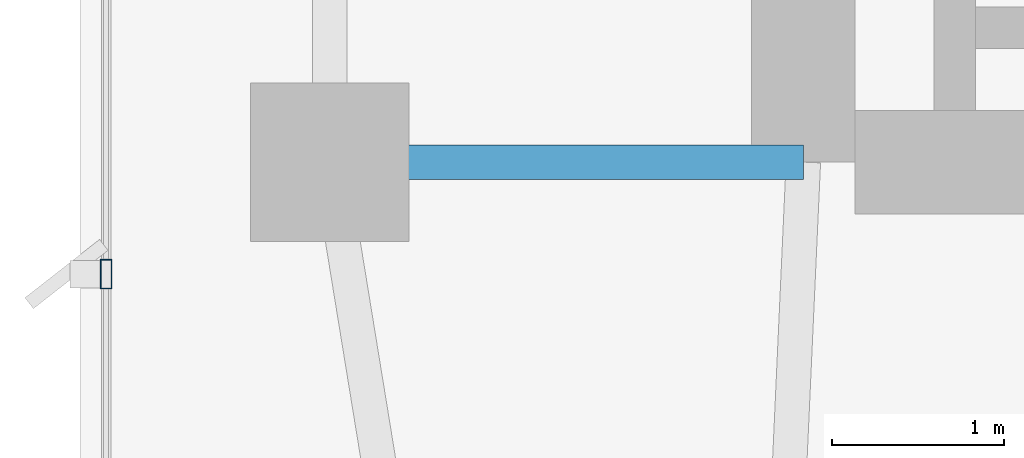
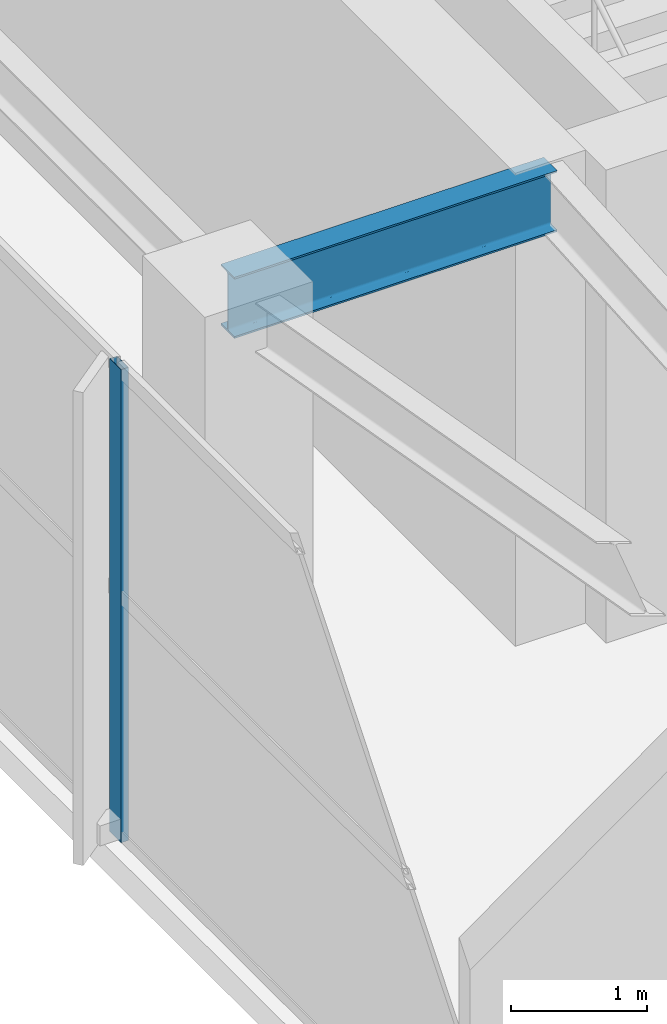
# One storey, part 5 of 25: 1 beam, 1 member, 1 element without a shape of its own.
"""IFC4 building model written with IfcOpenShell, lengths in metres."""

from ifc_helpers import new_model, si_unit, direction, frame, origin, origin_2d, place, context, subcontext, project, spatial, hollow_rectangle, i_section, extrude, material, layer, layer_set, material_profile, profile_set, type_object, element, aggregate, save


model = new_model("IFC4")

# Units and contexts
model_context = context("Model", 3, precision=1e-05, world=origin(), true_north=direction((0.0, 1.0)))
body_context = subcontext(model_context, "Body", "Model", "MODEL_VIEW")
ifc_project = project(units=[si_unit("LENGTHUNIT", "METRE"), si_unit("AREAUNIT", "SQUARE_METRE"), si_unit("VOLUMEUNIT", "CUBIC_METRE"), si_unit("PLANEANGLEUNIT", "RADIAN"), si_unit("MASSUNIT", "GRAM", prefix="KILO")], contexts=[model_context])

# Site, building, storey
site_placement = place(None, origin())
site = spatial("IfcSite", under=ifc_project, at=site_placement, CompositionType="ELEMENT")
building_placement = place(site_placement, origin())
building = spatial("IfcBuilding", under=site, at=building_placement, Name="Calvorn Quay Hotel", CompositionType="ELEMENT")
storey_placement = place(building_placement, frame((0.0, 0.0, 316.0)))
storey = spatial("IfcBuildingStorey", under=building, at=storey_placement, Name="L78", CompositionType="ELEMENT", Elevation=316.0)

# Beam
ifc_material_1 = material(Name="Steel Q355B", Category="steel")
ifc_material_profile_1 = material_profile(ifc_material_1, i_section(OverallWidth=0.199951171875, OverallDepth=0.550048828125, WebThickness=0.010009765625, FlangeThickness=0.01611328125, FilletRadius=0.01806640625, at=origin_2d()), Name="HN550x200x10x16")
ifc_profile_set_1 = profile_set([ifc_material_profile_1], Name="Steel Q355B")
beam_type = type_object("IfcBeamType", Name="BM-GIRD-UPP", PredefinedType="BEAM", material=ifc_profile_set_1)
beam_placement = place(storey_placement, frame((1.449951171875, 16.800048828125, 3.965087890625), z_axis=(1.0, 0.0, 0.0), x_axis=(0.0, 1.0, 0.0)))
element("IfcBeam", 1, at=beam_placement, inside=storey, type_object=beam_type, Name="Beam BG-L78-W1", PredefinedType="BEAM", context=body_context, shape_type="SweptSolid", body=[
    extrude(i_section(OverallWidth=0.199951171875, OverallDepth=0.550048828125, WebThickness=0.010009765625, FlangeThickness=0.01611328125, FilletRadius=0.01806640625, at=origin_2d()), origin(), (0.0, 0.0, 1.0), 2.75),
])

# Curtain wall, member
ifc_material_2 = material(Name="Champagne Bronze Anodised Aluminium and Low-E Glass", Category="aluminium")
ifc_layer = layer(ifc_material_2, 0.219970703125)
ifc_layer_set = layer_set([ifc_layer], Name="CW-SYS-Z4")
curtain_wall_type = type_object("IfcCurtainWallType", Name="CW-SYS-Z4", PredefinedType="NOTDEFINED", material=ifc_layer_set)
curtain_wall_placement = place(storey_placement, origin())
curtain_wall = element("IfcCurtainWall", 2, at=curtain_wall_placement, inside=storey, type_object=curtain_wall_type, Name="Tower West Curtain Wall (L78)", PredefinedType="NOTDEFINED")
ifc_material_3 = material(Name="Champagne Bronze Anodised Aluminium 6063-T6", Category="aluminium")
ifc_material_profile_2 = material_profile(ifc_material_3, hollow_rectangle(XDim=0.06494140625, YDim=0.169921875, WallThickness=0.00341796875, at=origin_2d()), Name="ALU-M170x65x3.5")
ifc_profile_set_2 = profile_set([ifc_material_profile_2], Name="Champagne Bronze Anodised Aluminium 6063-T6")
member_type = type_object("IfcMemberType", Name="CW-SYS-Z4-MUL", PredefinedType="MULLION", material=ifc_profile_set_2)
member_placement = place(storey_placement, frame((0.14990234375, 16.14990234375, 0.0), z_axis=(0.0, 0.0, 1.0), x_axis=(-1.0, 0.0, 0.0)))
member = element("IfcMember", 3, at=member_placement, type_object=member_type, Name="CW-L78-W mullion 2", PredefinedType="MULLION", context=body_context, shape_type="SweptSolid", body=[
    extrude(hollow_rectangle(XDim=0.06494140625, YDim=0.169921875, WallThickness=0.00341796875, at=origin_2d()), origin(), (0.0, 0.0, 1.0), 4.260009765625),
])
aggregate(curtain_wall, [member])

save(model, "model.ifc")
